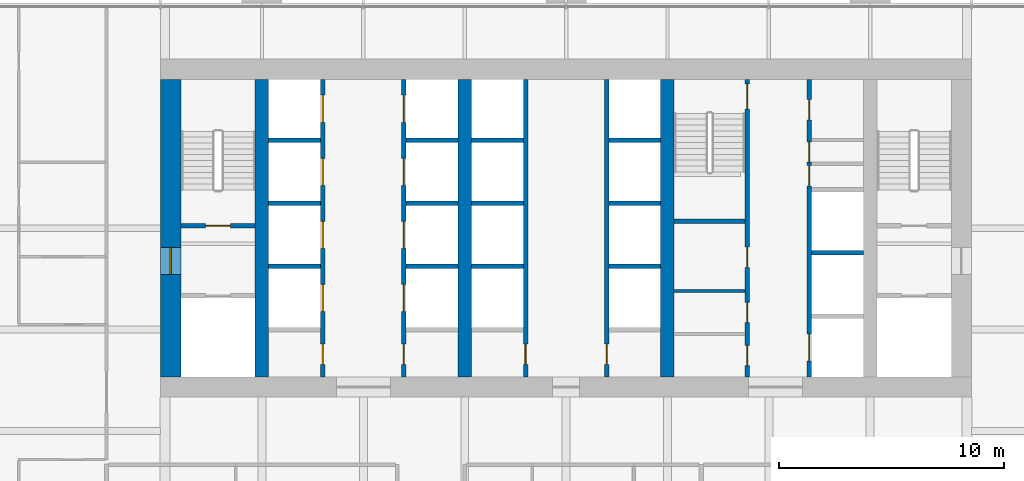
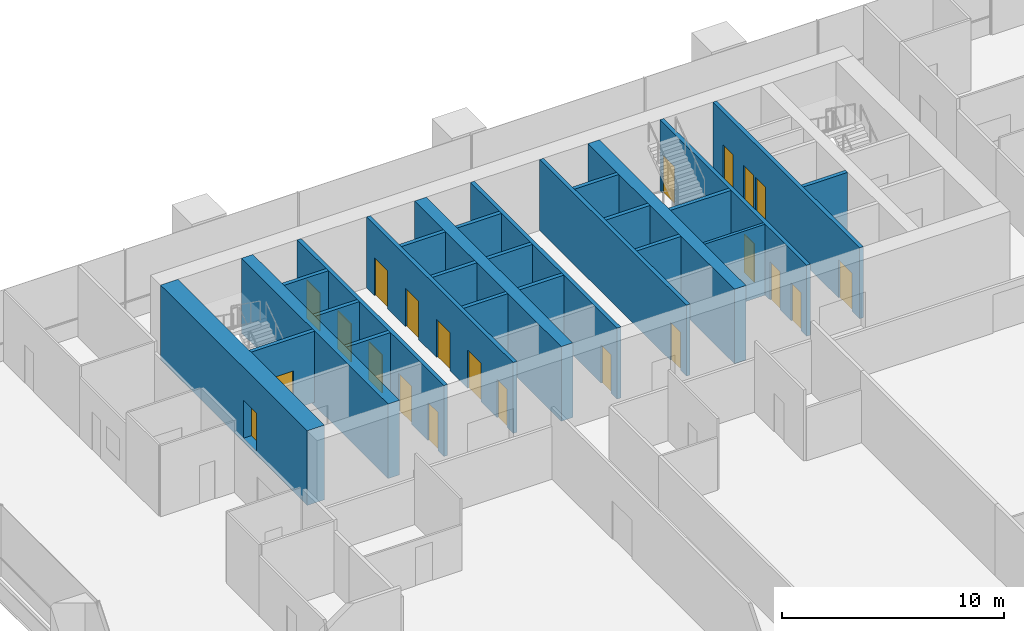
# One storey, part 13 of 17: 26 walls, 22 doors, 22 openings.
"""IFC4 building model written with IfcOpenShell, lengths in metres."""

from ifc_helpers import new_model, si_unit, direction, frame, frame_2d, origin, place, context, subcontext, project, spatial, rectangle, extrude, material, layer, layer_set, type_object, element, fill, save


model = new_model("IFC4")

# Units and contexts
model_context = context("Model", 3, precision=1e-05, world=origin(), true_north=direction((0.0, 1.0)))
body_context = subcontext(model_context, "Body", "Model", "MODEL_VIEW")
ifc_project = project(units=[si_unit("LENGTHUNIT", "METRE"), si_unit("AREAUNIT", "SQUARE_METRE"), si_unit("VOLUMEUNIT", "CUBIC_METRE"), si_unit("PLANEANGLEUNIT", "RADIAN"), si_unit("MASSUNIT", "GRAM", prefix="KILO")], contexts=[model_context])

# Site, building, storey
site_placement = place(None, origin())
site = spatial("IfcSite", under=ifc_project, at=site_placement, CompositionType="ELEMENT")
building_placement = place(site_placement, origin())
building = spatial("IfcBuilding", under=site, at=building_placement, Name="Rattan Terrace Tower", CompositionType="ELEMENT")
storey_placement = place(building_placement, frame((0.0, 0.0, 48.800048828125)))
storey = spatial("IfcBuildingStorey", under=building, at=storey_placement, Name="L10", CompositionType="ELEMENT", Elevation=48.800048828125)

# Wall
ifc_material_1 = material(Name="Gypsum board partition")
ifc_layer_1 = layer(ifc_material_1, 0.14990234375)
ifc_layer_set_1 = layer_set([ifc_layer_1], Name="Core partition 150")
wall_type_1 = type_object("IfcWallType", Name="Core partition 150", PredefinedType="PARTITIONING", material=ifc_layer_set_1)
wall_1_placement = place(storey_placement, frame((4.800048828125, -2.7919921875, 0.0), z_axis=(0.0, 0.0, 1.0), x_axis=(1.0, 0.0, 0.0)))
element("IfcWall", 1, at=wall_1_placement, inside=storey, type_object=wall_type_1, Name="Toilet wall", PredefinedType="PARTITIONING", context=body_context, shape_type="SweptSolid", body=[
    extrude(rectangle(XDim=3.14990234375, YDim=0.14990234375, at=frame_2d((1.574951171875, 0.0))), origin(), (0.0, 0.0, 1.0), 3.89990234375),
])

# Wall, opening, door
ifc_material_2 = material(Name="Gypsum board partition")
ifc_layer_2 = layer(ifc_material_2, 0.199951171875)
ifc_layer_set_2 = layer_set([ifc_layer_2], Name="Core partition 200")
wall_type_2 = type_object("IfcWallType", Name="Core partition 200", PredefinedType="PARTITIONING", material=ifc_layer_set_2)
wall_2_placement = place(storey_placement, frame((-17.10009765625, 0.10009765625, 0.0), z_axis=(0.0, 0.0, 1.0), x_axis=(1.0, 0.0, 0.0)))
wall_2 = element("IfcWall", 2, at=wall_2_placement, inside=storey, type_object=wall_type_2, Name="Stair enclosure wall", PredefinedType="PARTITIONING", context=body_context, shape_type="SweptSolid", body=[
    extrude(rectangle(XDim=3.300048828125, YDim=0.199951171875, at=frame_2d((1.64990234375, 0.0))), origin(), (0.0, 0.0, 1.0), 3.89990234375),
])
opening_1_placement = place(wall_2_placement, frame((1.10009765625, 0.0, 0.0)))
opening_1 = element("IfcOpeningElement", 3, at=opening_1_placement, cuts=wall_2, Name="Opening L10-D002", PredefinedType="OPENING", context=body_context, shape_type="SweptSolid", body=[
    extrude(rectangle(XDim=1.10009765625, YDim=2.10009765625, at=frame_2d((0.550048828125, 1.050048828125))), frame((0.0, 0.110595703125, 0.0), z_axis=(0.0, -1.0, 0.0), x_axis=(1.0, 0.0, 0.0)), (0.0, 0.0, 1.0), 0.220947265625),
])
ifc_material_3 = material(Name="Hollow-metal fire door leaf")
door_type_1 = type_object("IfcDoorType", Name="Core stair door 1100", OperationType="NOTDEFINED", PredefinedType="DOOR", material=ifc_material_3)
door_1_placement = place(opening_1_placement, origin())
door_1 = element("IfcDoor", 4, at=door_1_placement, inside=storey, type_object=door_type_1, Name="Door L10-D002", OperationType="SINGLE_SWING_RIGHT", OverallHeight=2.10009765625, OverallWidth=1.10009765625, PredefinedType="DOOR", context=body_context, shape_type="SweptSolid", body=[
    extrude(rectangle(XDim=1.10009765625, YDim=2.10009765625, at=frame_2d((0.550048828125, 1.050048828125))), frame((0.0, 0.02490234375, 0.0), z_axis=(0.0, -1.0, 0.0), x_axis=(1.0, 0.0, 0.0)), (0.0, 0.0, 1.0), 0.050048828125),
])
fill(opening_1, door_1)

# Wall, openings, doors
wall_3_placement = place(storey_placement, frame((8.050048828125, -6.60009765625, 0.0), z_axis=(0.0, 0.0, 1.0), x_axis=(0.0, 1.0, 0.0)))
wall_3 = element("IfcWall", 5, at=wall_3_placement, inside=storey, type_object=wall_type_2, Name="Lobby wall west", PredefinedType="PARTITIONING", context=body_context, shape_type="SweptSolid", body=[
    extrude(rectangle(XDim=13.2001953125, YDim=0.199951171875, at=frame_2d((6.60009765625, 0.0))), origin(), (0.0, 0.0, 1.0), 3.89990234375),
])
opening_2_placement = place(wall_3_placement, frame((0.501953125, 0.0, 0.0)))
opening_2 = element("IfcOpeningElement", 6, at=opening_2_placement, cuts=wall_3, Name="Opening L10-D011", PredefinedType="OPENING", context=body_context, shape_type="SweptSolid", body=[
    extrude(rectangle(XDim=0.89990234375, YDim=2.10009765625, at=frame_2d((0.449951171875, 1.050048828125))), frame((0.0, 0.110595703125, 0.0), z_axis=(0.0, -1.0, 0.0), x_axis=(1.0, 0.0, 0.0)), (0.0, 0.0, 1.0), 0.220947265625),
])
opening_3_placement = place(wall_3_placement, frame((2.406005859375, 0.0, 0.0)))
opening_3 = element("IfcOpeningElement", 7, at=opening_3_placement, cuts=wall_3, Name="Opening L10-D012", PredefinedType="OPENING", context=body_context, shape_type="SweptSolid", body=[
    extrude(rectangle(XDim=0.89990234375, YDim=2.10009765625, at=frame_2d((0.449951171875, 1.050048828125))), frame((0.0, 0.110595703125, 0.0), z_axis=(0.0, -1.0, 0.0), x_axis=(1.0, 0.0, 0.0)), (0.0, 0.0, 1.0), 0.220947265625),
])
opening_4_placement = place(wall_3_placement, frame((4.85400390625, 0.0, 0.0)))
opening_4 = element("IfcOpeningElement", 8, at=opening_4_placement, cuts=wall_3, Name="Opening L10-D013", PredefinedType="OPENING", context=body_context, shape_type="SweptSolid", body=[
    extrude(rectangle(XDim=0.89990234375, YDim=2.10009765625, at=frame_2d((0.449951171875, 1.050048828125))), frame((0.0, 0.110595703125, 0.0), z_axis=(0.0, -1.0, 0.0), x_axis=(1.0, 0.0, 0.0)), (0.0, 0.0, 1.0), 0.220947265625),
])
opening_5_placement = place(wall_3_placement, frame((11.89990234375, 0.0, 0.0)))
opening_5 = element("IfcOpeningElement", 9, at=opening_5_placement, cuts=wall_3, Name="Opening L10-D014", PredefinedType="OPENING", context=body_context, shape_type="SweptSolid", body=[
    extrude(rectangle(XDim=1.10009765625, YDim=2.10009765625, at=frame_2d((0.550048828125, 1.050048828125))), frame((0.0, 0.110595703125, 0.0), z_axis=(0.0, -1.0, 0.0), x_axis=(1.0, 0.0, 0.0)), (0.0, 0.0, 1.0), 0.220947265625),
])
door_2_placement = place(opening_5_placement, origin())
door_2 = element("IfcDoor", 10, at=door_2_placement, inside=storey, type_object=door_type_1, Name="Door L10-D014", OperationType="SINGLE_SWING_LEFT", OverallHeight=2.10009765625, OverallWidth=1.10009765625, PredefinedType="DOOR", context=body_context, shape_type="SweptSolid", body=[
    extrude(rectangle(XDim=1.10009765625, YDim=2.10009765625, at=frame_2d((0.550048828125, 1.050048828125))), frame((0.0, 0.02490234375, 0.0), z_axis=(0.0, -1.0, 0.0), x_axis=(1.0, 0.0, 0.0)), (0.0, 0.0, 1.0), 0.050048828125),
])
fill(opening_5, door_2)
ifc_material_4 = material(Name="Hollow-metal fire door leaf")
door_type_2 = type_object("IfcDoorType", Name="Core toilet door 900", OperationType="NOTDEFINED", PredefinedType="DOOR", material=ifc_material_4)
door_3_placement = place(opening_2_placement, origin())
door_3 = element("IfcDoor", 11, at=door_3_placement, inside=storey, type_object=door_type_2, Name="Door L10-D011", OperationType="SINGLE_SWING_RIGHT", OverallHeight=2.10009765625, OverallWidth=0.89990234375, PredefinedType="DOOR", context=body_context, shape_type="SweptSolid", body=[
    extrude(rectangle(XDim=0.89990234375, YDim=2.10009765625, at=frame_2d((0.449951171875, 1.050048828125))), frame((0.0, 0.02490234375, 0.0), z_axis=(0.0, -1.0, 0.0), x_axis=(1.0, 0.0, 0.0)), (0.0, 0.0, 1.0), 0.050048828125),
])
fill(opening_2, door_3)
door_4_placement = place(opening_3_placement, origin())
door_4 = element("IfcDoor", 12, at=door_4_placement, inside=storey, type_object=door_type_2, Name="Door L10-D012", OperationType="SINGLE_SWING_LEFT", OverallHeight=2.10009765625, OverallWidth=0.89990234375, PredefinedType="DOOR", context=body_context, shape_type="SweptSolid", body=[
    extrude(rectangle(XDim=0.89990234375, YDim=2.10009765625, at=frame_2d((0.449951171875, 1.050048828125))), frame((0.0, 0.02490234375, 0.0), z_axis=(0.0, -1.0, 0.0), x_axis=(1.0, 0.0, 0.0)), (0.0, 0.0, 1.0), 0.050048828125),
])
fill(opening_3, door_4)
door_5_placement = place(opening_4_placement, origin())
door_5 = element("IfcDoor", 13, at=door_5_placement, inside=storey, type_object=door_type_2, Name="Door L10-D013", OperationType="SINGLE_SWING_RIGHT", OverallHeight=2.10009765625, OverallWidth=0.89990234375, PredefinedType="DOOR", context=body_context, shape_type="SweptSolid", body=[
    extrude(rectangle(XDim=0.89990234375, YDim=2.10009765625, at=frame_2d((0.449951171875, 1.050048828125))), frame((0.0, 0.02490234375, 0.0), z_axis=(0.0, -1.0, 0.0), x_axis=(1.0, 0.0, 0.0)), (0.0, 0.0, 1.0), 0.050048828125),
])
fill(opening_4, door_5)

# Wall
wall_4_placement = place(storey_placement, frame((4.800048828125, 0.300048828125, 0.0), z_axis=(0.0, 0.0, 1.0), x_axis=(1.0, 0.0, 0.0)))
element("IfcWall", 14, at=wall_4_placement, inside=storey, type_object=wall_type_2, Name="Stair enclosure wall", PredefinedType="PARTITIONING", context=body_context, shape_type="SweptSolid", body=[
    extrude(rectangle(XDim=3.14990234375, YDim=0.199951171875, at=frame_2d((1.574951171875, 0.0))), origin(), (0.0, 0.0, 1.0), 3.89990234375),
])

# Wall, opening, door
ifc_material_5 = material(Name="Concrete C70/85", Category="concrete")
ifc_layer_3 = layer(ifc_material_5, 0.89990234375)
ifc_layer_set_3 = layer_set([ifc_layer_3], Name="Core ring wall 900 C70/85")
wall_type_3 = type_object("IfcWallType", Name="Core ring wall 900 C70/85", PredefinedType="SHEAR", material=ifc_layer_set_3)
wall_5_placement = place(storey_placement, frame((-17.550048828125, -6.60009765625, -0.199951171875), z_axis=(0.0, 0.0, 1.0), x_axis=(0.0, 1.0, 0.0)))
wall_5 = element("IfcWall", 15, at=wall_5_placement, inside=storey, type_object=wall_type_3, Name="Rear core wall west", PredefinedType="SHEAR", context=body_context, shape_type="SweptSolid", body=[
    extrude(rectangle(XDim=13.2001953125, YDim=0.89990234375, at=frame_2d((6.60009765625, 0.0))), origin(), (0.0, 0.0, 1.0), 4.099853515625),
])
opening_6_placement = place(wall_5_placement, frame((4.550048828125, 0.0, 0.199951171875)))
opening_6 = element("IfcOpeningElement", 16, at=opening_6_placement, cuts=wall_5, Name="Opening L10-D001", PredefinedType="OPENING", context=body_context, shape_type="SweptSolid", body=[
    extrude(rectangle(XDim=1.199951171875, YDim=2.10009765625, at=frame_2d((0.60009765625, 1.050048828125))), frame((0.0, 0.46044921875, 0.0), z_axis=(0.0, -1.0, 0.0), x_axis=(1.0, 0.0, 0.0)), (0.0, 0.0, 1.0), 0.9208984375),
])
ifc_material_6 = material(Name="Hollow-metal fire door leaf")
door_type_3 = type_object("IfcDoorType", Name="Core fire-fighting lobby door 1200", OperationType="NOTDEFINED", PredefinedType="DOOR", material=ifc_material_6)
door_6_placement = place(opening_6_placement, origin())
door_6 = element("IfcDoor", 17, at=door_6_placement, inside=storey, type_object=door_type_3, Name="Door L10-D001", OperationType="SINGLE_SWING_LEFT", OverallHeight=2.10009765625, OverallWidth=1.199951171875, PredefinedType="DOOR", context=body_context, shape_type="SweptSolid", body=[
    extrude(rectangle(XDim=1.199951171875, YDim=2.10009765625, at=frame_2d((0.60009765625, 1.050048828125))), frame((0.0, 0.02490234375, 0.0), z_axis=(0.0, -1.0, 0.0), x_axis=(1.0, 0.0, 0.0)), (0.0, 0.0, 1.0), 0.050048828125),
])
fill(opening_6, door_6)

# Walls
ifc_material_7 = material(Name="Concrete C70/85", Category="concrete")
ifc_layer_4 = layer(ifc_material_7, 0.60009765625)
ifc_layer_set_4 = layer_set([ifc_layer_4], Name="Core spine wall 600 C70/85")
wall_type_4 = type_object("IfcWallType", Name="Core spine wall 600 C70/85", PredefinedType="SHEAR", material=ifc_layer_set_4)
for number, where, z_axis, x_axis, name in (
    (18, (-13.5, -6.60009765625, -0.199951171875), (0.0, 0.0, 1.0), (0.0, 1.0, 0.0), "Core spine wall 1"),
    (19, (-4.5, -6.60009765625, -0.199951171875), (0.0, 0.0, 1.0), (0.0, 1.0, 0.0), "Core spine wall 2"),
    (20, (4.5, -6.60009765625, -0.199951171875), (0.0, 0.0, 1.0), (0.0, 1.0, 0.0), "Core spine wall 3"),
):
    element("IfcWall", number, at=place(storey_placement, frame(where, z_axis=z_axis, x_axis=x_axis)), inside=storey, type_object=wall_type_4, Name=name, PredefinedType="SHEAR", context=body_context, shape_type="SweptSolid", body=[
        extrude(rectangle(XDim=13.2001953125, YDim=0.60009765625, at=frame_2d((6.60009765625, 0.0))), origin(), (0.0, 0.0, 1.0), 4.099853515625),
    ])

# Wall, openings, doors
ifc_material_8 = material(Name="Gypsum shaft wall system")
ifc_layer_5 = layer(ifc_material_8, 0.199951171875)
ifc_layer_set_5 = layer_set([ifc_layer_5], Name="Lift shaft wall 200")
wall_type_5 = type_object("IfcWallType", Name="Lift shaft wall 200", PredefinedType="PARTITIONING", material=ifc_layer_set_5)
wall_6_placement = place(storey_placement, frame((-10.800048828125, -6.60009765625, 0.0), z_axis=(0.0, 0.0, 1.0), x_axis=(0.0, 1.0, 0.0)))
wall_6 = element("IfcWall", 21, at=wall_6_placement, inside=storey, type_object=wall_type_5, Name="Lift shaft front wall", PredefinedType="PARTITIONING", context=body_context, shape_type="SweptSolid", body=[
    extrude(rectangle(XDim=13.2001953125, YDim=0.199951171875, at=frame_2d((6.60009765625, 0.0))), origin(), (0.0, 0.0, 1.0), 3.89990234375),
])
opening_7_placement = place(wall_6_placement, frame((0.550048828125, 0.0, 0.0)))
opening_7 = element("IfcOpeningElement", 22, at=opening_7_placement, cuts=wall_6, Name="Opening L10-D005", PredefinedType="OPENING", context=body_context, shape_type="SweptSolid", body=[
    extrude(rectangle(XDim=0.89990234375, YDim=2.10009765625, at=frame_2d((0.449951171875, 1.050048828125))), frame((0.0, 0.110595703125, 0.0), z_axis=(0.0, -1.0, 0.0), x_axis=(1.0, 0.0, 0.0)), (0.0, 0.0, 1.0), 0.220947265625),
])
opening_8_placement = place(wall_6_placement, frame((2.89990234375, 0.0, 0.0)))
opening_8 = element("IfcOpeningElement", 23, at=opening_8_placement, cuts=wall_6, Name="Opening L10-LD-LR1", PredefinedType="OPENING", context=body_context, shape_type="SweptSolid", body=[
    extrude(rectangle(XDim=1.199951171875, YDim=2.10009765625, at=frame_2d((0.60009765625, 1.050048828125))), frame((0.0, 0.110595703125, 0.0), z_axis=(0.0, -1.0, 0.0), x_axis=(1.0, 0.0, 0.0)), (0.0, 0.0, 1.0), 0.220947265625),
])
opening_9_placement = place(wall_6_placement, frame((5.699951171875, 0.0, 0.0)))
opening_9 = element("IfcOpeningElement", 24, at=opening_9_placement, cuts=wall_6, Name="Opening L10-LD-LR2", PredefinedType="OPENING", context=body_context, shape_type="SweptSolid", body=[
    extrude(rectangle(XDim=1.199951171875, YDim=2.10009765625, at=frame_2d((0.60009765625, 1.050048828125))), frame((0.0, 0.110595703125, 0.0), z_axis=(0.0, -1.0, 0.0), x_axis=(1.0, 0.0, 0.0)), (0.0, 0.0, 1.0), 0.220947265625),
])
opening_10_placement = place(wall_6_placement, frame((8.5, 0.0, 0.0)))
opening_10 = element("IfcOpeningElement", 25, at=opening_10_placement, cuts=wall_6, Name="Opening L10-LD-LR3", PredefinedType="OPENING", context=body_context, shape_type="SweptSolid", body=[
    extrude(rectangle(XDim=1.199951171875, YDim=2.10009765625, at=frame_2d((0.60009765625, 1.050048828125))), frame((0.0, 0.110595703125, 0.0), z_axis=(0.0, -1.0, 0.0), x_axis=(1.0, 0.0, 0.0)), (0.0, 0.0, 1.0), 0.220947265625),
])
opening_11_placement = place(wall_6_placement, frame((11.300048828125, 0.0, 0.0)))
opening_11 = element("IfcOpeningElement", 26, at=opening_11_placement, cuts=wall_6, Name="Opening L10-LD-LR4", PredefinedType="OPENING", context=body_context, shape_type="SweptSolid", body=[
    extrude(rectangle(XDim=1.199951171875, YDim=2.10009765625, at=frame_2d((0.60009765625, 1.050048828125))), frame((0.0, 0.110595703125, 0.0), z_axis=(0.0, -1.0, 0.0), x_axis=(1.0, 0.0, 0.0)), (0.0, 0.0, 1.0), 0.220947265625),
])
ifc_material_9 = material(Name="Brushed stainless landing door panel")
door_type_4 = type_object("IfcDoorType", Name="Core lift landing door 1200", OperationType="DOUBLE_DOOR_SLIDING", PredefinedType="DOOR", material=ifc_material_9)
door_7_placement = place(opening_8_placement, origin())
door_7 = element("IfcDoor", 27, at=door_7_placement, inside=storey, type_object=door_type_4, Name="Door L10-LD-LR1", OperationType="DOUBLE_DOOR_SLIDING", OverallHeight=2.10009765625, OverallWidth=1.199951171875, PredefinedType="DOOR", context=body_context, shape_type="SweptSolid", body=[
    extrude(rectangle(XDim=1.199951171875, YDim=2.10009765625, at=frame_2d((0.60009765625, 1.050048828125))), frame((0.0, 0.02490234375, 0.0), z_axis=(0.0, -1.0, 0.0), x_axis=(1.0, 0.0, 0.0)), (0.0, 0.0, 1.0), 0.050048828125),
])
fill(opening_8, door_7)
door_8_placement = place(opening_9_placement, origin())
door_8 = element("IfcDoor", 28, at=door_8_placement, inside=storey, type_object=door_type_4, Name="Door L10-LD-LR2", OperationType="DOUBLE_DOOR_SLIDING", OverallHeight=2.10009765625, OverallWidth=1.199951171875, PredefinedType="DOOR", context=body_context, shape_type="SweptSolid", body=[
    extrude(rectangle(XDim=1.199951171875, YDim=2.10009765625, at=frame_2d((0.60009765625, 1.050048828125))), frame((0.0, 0.02490234375, 0.0), z_axis=(0.0, -1.0, 0.0), x_axis=(1.0, 0.0, 0.0)), (0.0, 0.0, 1.0), 0.050048828125),
])
fill(opening_9, door_8)
door_9_placement = place(opening_10_placement, origin())
door_9 = element("IfcDoor", 29, at=door_9_placement, inside=storey, type_object=door_type_4, Name="Door L10-LD-LR3", OperationType="DOUBLE_DOOR_SLIDING", OverallHeight=2.10009765625, OverallWidth=1.199951171875, PredefinedType="DOOR", context=body_context, shape_type="SweptSolid", body=[
    extrude(rectangle(XDim=1.199951171875, YDim=2.10009765625, at=frame_2d((0.60009765625, 1.050048828125))), frame((0.0, 0.02490234375, 0.0), z_axis=(0.0, -1.0, 0.0), x_axis=(1.0, 0.0, 0.0)), (0.0, 0.0, 1.0), 0.050048828125),
])
fill(opening_10, door_9)
door_10_placement = place(opening_11_placement, origin())
door_10 = element("IfcDoor", 30, at=door_10_placement, inside=storey, type_object=door_type_4, Name="Door L10-LD-LR4", OperationType="DOUBLE_DOOR_SLIDING", OverallHeight=2.10009765625, OverallWidth=1.199951171875, PredefinedType="DOOR", context=body_context, shape_type="SweptSolid", body=[
    extrude(rectangle(XDim=1.199951171875, YDim=2.10009765625, at=frame_2d((0.60009765625, 1.050048828125))), frame((0.0, 0.02490234375, 0.0), z_axis=(0.0, -1.0, 0.0), x_axis=(1.0, 0.0, 0.0)), (0.0, 0.0, 1.0), 0.050048828125),
])
fill(opening_11, door_10)
ifc_material_10 = material(Name="Hollow-metal fire door leaf")
door_type_5 = type_object("IfcDoorType", Name="Core riser door 900", OperationType="NOTDEFINED", PredefinedType="DOOR", material=ifc_material_10)
door_11_placement = place(opening_7_placement, origin())
door_11 = element("IfcDoor", 31, at=door_11_placement, inside=storey, type_object=door_type_5, Name="Door L10-D005", OperationType="SINGLE_SWING_LEFT", OverallHeight=2.10009765625, OverallWidth=0.89990234375, PredefinedType="DOOR", context=body_context, shape_type="SweptSolid", body=[
    extrude(rectangle(XDim=0.89990234375, YDim=2.10009765625, at=frame_2d((0.449951171875, 1.050048828125))), frame((0.0, 0.02490234375, 0.0), z_axis=(0.0, -1.0, 0.0), x_axis=(1.0, 0.0, 0.0)), (0.0, 0.0, 1.0), 0.050048828125),
])
fill(opening_7, door_11)

wall_7_placement = place(storey_placement, frame((-7.199951171875, -6.60009765625, 0.0), z_axis=(0.0, 0.0, 1.0), x_axis=(0.0, 1.0, 0.0)))
wall_7 = element("IfcWall", 32, at=wall_7_placement, inside=storey, type_object=wall_type_5, Name="Lift shaft front wall", PredefinedType="PARTITIONING", context=body_context, shape_type="SweptSolid", body=[
    extrude(rectangle(XDim=13.2001953125, YDim=0.199951171875, at=frame_2d((6.60009765625, 0.0))), origin(), (0.0, 0.0, 1.0), 3.89990234375),
])
opening_12_placement = place(wall_7_placement, frame((0.550048828125, 0.0, 0.0)))
opening_12 = element("IfcOpeningElement", 33, at=opening_12_placement, cuts=wall_7, Name="Opening L10-D006", PredefinedType="OPENING", context=body_context, shape_type="SweptSolid", body=[
    extrude(rectangle(XDim=0.89990234375, YDim=2.10009765625, at=frame_2d((0.449951171875, 1.050048828125))), frame((0.0, 0.110595703125, 0.0), z_axis=(0.0, -1.0, 0.0), x_axis=(1.0, 0.0, 0.0)), (0.0, 0.0, 1.0), 0.220947265625),
])
opening_13_placement = place(wall_7_placement, frame((2.89990234375, 0.0, 0.0)))
opening_13 = element("IfcOpeningElement", 34, at=opening_13_placement, cuts=wall_7, Name="Opening L10-LD-LR5", PredefinedType="OPENING", context=body_context, shape_type="SweptSolid", body=[
    extrude(rectangle(XDim=1.199951171875, YDim=2.10009765625, at=frame_2d((0.60009765625, 1.050048828125))), frame((0.0, 0.110595703125, 0.0), z_axis=(0.0, -1.0, 0.0), x_axis=(1.0, 0.0, 0.0)), (0.0, 0.0, 1.0), 0.220947265625),
])
opening_14_placement = place(wall_7_placement, frame((5.699951171875, 0.0, 0.0)))
opening_14 = element("IfcOpeningElement", 35, at=opening_14_placement, cuts=wall_7, Name="Opening L10-LD-LR6", PredefinedType="OPENING", context=body_context, shape_type="SweptSolid", body=[
    extrude(rectangle(XDim=1.199951171875, YDim=2.10009765625, at=frame_2d((0.60009765625, 1.050048828125))), frame((0.0, 0.110595703125, 0.0), z_axis=(0.0, -1.0, 0.0), x_axis=(1.0, 0.0, 0.0)), (0.0, 0.0, 1.0), 0.220947265625),
])
opening_15_placement = place(wall_7_placement, frame((8.5, 0.0, 0.0)))
opening_15 = element("IfcOpeningElement", 36, at=opening_15_placement, cuts=wall_7, Name="Opening L10-LD-LR7", PredefinedType="OPENING", context=body_context, shape_type="SweptSolid", body=[
    extrude(rectangle(XDim=1.199951171875, YDim=2.10009765625, at=frame_2d((0.60009765625, 1.050048828125))), frame((0.0, 0.110595703125, 0.0), z_axis=(0.0, -1.0, 0.0), x_axis=(1.0, 0.0, 0.0)), (0.0, 0.0, 1.0), 0.220947265625),
])
opening_16_placement = place(wall_7_placement, frame((11.300048828125, 0.0, 0.0)))
opening_16 = element("IfcOpeningElement", 37, at=opening_16_placement, cuts=wall_7, Name="Opening L10-LD-LR8", PredefinedType="OPENING", context=body_context, shape_type="SweptSolid", body=[
    extrude(rectangle(XDim=1.199951171875, YDim=2.10009765625, at=frame_2d((0.60009765625, 1.050048828125))), frame((0.0, 0.110595703125, 0.0), z_axis=(0.0, -1.0, 0.0), x_axis=(1.0, 0.0, 0.0)), (0.0, 0.0, 1.0), 0.220947265625),
])
door_12_placement = place(opening_13_placement, origin())
door_12 = element("IfcDoor", 38, at=door_12_placement, inside=storey, type_object=door_type_4, Name="Door L10-LD-LR5", OperationType="DOUBLE_DOOR_SLIDING", OverallHeight=2.10009765625, OverallWidth=1.199951171875, PredefinedType="DOOR", context=body_context, shape_type="SweptSolid", body=[
    extrude(rectangle(XDim=1.199951171875, YDim=2.10009765625, at=frame_2d((0.60009765625, 1.050048828125))), frame((0.0, 0.02490234375, 0.0), z_axis=(0.0, -1.0, 0.0), x_axis=(1.0, 0.0, 0.0)), (0.0, 0.0, 1.0), 0.050048828125),
])
fill(opening_13, door_12)
door_13_placement = place(opening_14_placement, origin())
door_13 = element("IfcDoor", 39, at=door_13_placement, inside=storey, type_object=door_type_4, Name="Door L10-LD-LR6", OperationType="DOUBLE_DOOR_SLIDING", OverallHeight=2.10009765625, OverallWidth=1.199951171875, PredefinedType="DOOR", context=body_context, shape_type="SweptSolid", body=[
    extrude(rectangle(XDim=1.199951171875, YDim=2.10009765625, at=frame_2d((0.60009765625, 1.050048828125))), frame((0.0, 0.02490234375, 0.0), z_axis=(0.0, -1.0, 0.0), x_axis=(1.0, 0.0, 0.0)), (0.0, 0.0, 1.0), 0.050048828125),
])
fill(opening_14, door_13)
door_14_placement = place(opening_15_placement, origin())
door_14 = element("IfcDoor", 40, at=door_14_placement, inside=storey, type_object=door_type_4, Name="Door L10-LD-LR7", OperationType="DOUBLE_DOOR_SLIDING", OverallHeight=2.10009765625, OverallWidth=1.199951171875, PredefinedType="DOOR", context=body_context, shape_type="SweptSolid", body=[
    extrude(rectangle(XDim=1.199951171875, YDim=2.10009765625, at=frame_2d((0.60009765625, 1.050048828125))), frame((0.0, 0.02490234375, 0.0), z_axis=(0.0, -1.0, 0.0), x_axis=(1.0, 0.0, 0.0)), (0.0, 0.0, 1.0), 0.050048828125),
])
fill(opening_15, door_14)
door_15_placement = place(opening_16_placement, origin())
door_15 = element("IfcDoor", 41, at=door_15_placement, inside=storey, type_object=door_type_4, Name="Door L10-LD-LR8", OperationType="DOUBLE_DOOR_SLIDING", OverallHeight=2.10009765625, OverallWidth=1.199951171875, PredefinedType="DOOR", context=body_context, shape_type="SweptSolid", body=[
    extrude(rectangle(XDim=1.199951171875, YDim=2.10009765625, at=frame_2d((0.60009765625, 1.050048828125))), frame((0.0, 0.02490234375, 0.0), z_axis=(0.0, -1.0, 0.0), x_axis=(1.0, 0.0, 0.0)), (0.0, 0.0, 1.0), 0.050048828125),
])
fill(opening_16, door_15)
door_16_placement = place(opening_12_placement, origin())
door_16 = element("IfcDoor", 42, at=door_16_placement, inside=storey, type_object=door_type_5, Name="Door L10-D006", OperationType="SINGLE_SWING_RIGHT", OverallHeight=2.10009765625, OverallWidth=0.89990234375, PredefinedType="DOOR", context=body_context, shape_type="SweptSolid", body=[
    extrude(rectangle(XDim=0.89990234375, YDim=2.10009765625, at=frame_2d((0.449951171875, 1.050048828125))), frame((0.0, 0.02490234375, 0.0), z_axis=(0.0, -1.0, 0.0), x_axis=(1.0, 0.0, 0.0)), (0.0, 0.0, 1.0), 0.050048828125),
])
fill(opening_12, door_16)

# Walls
for number, where, z_axis, x_axis, name in (
    (43, (-13.199951171875, -1.699951171875, 0.0), (0.0, 0.0, 1.0), (1.0, 0.0, 0.0), "Lift shaft wall"),
    (44, (-13.199951171875, 1.10009765625, 0.0), (0.0, 0.0, 1.0), (1.0, 0.0, 0.0), "Lift shaft wall"),
    (45, (-13.199951171875, 3.89990234375, 0.0), (0.0, 0.0, 1.0), (1.0, 0.0, 0.0), "Lift shaft wall"),
    (46, (-7.10009765625, -1.699951171875, 0.0), (0.0, 0.0, 1.0), (1.0, 0.0, 0.0), "Lift shaft wall"),
    (47, (-7.10009765625, 1.10009765625, 0.0), (0.0, 0.0, 1.0), (1.0, 0.0, 0.0), "Lift shaft wall"),
    (48, (-7.10009765625, 3.89990234375, 0.0), (0.0, 0.0, 1.0), (1.0, 0.0, 0.0), "Lift shaft wall"),
):
    element("IfcWall", number, at=place(storey_placement, frame(where, z_axis=z_axis, x_axis=x_axis)), inside=storey, type_object=wall_type_5, Name=name, PredefinedType="PARTITIONING", context=body_context, shape_type="SweptSolid", body=[
        extrude(rectangle(XDim=2.300048828125, YDim=0.199951171875, at=frame_2d((1.14990234375, 0.0))), origin(), (0.0, 0.0, 1.0), 3.89990234375),
    ])

# Wall, opening, door
wall_8_placement = place(storey_placement, frame((-1.800048828125, -6.60009765625, 0.0), z_axis=(0.0, 0.0, 1.0), x_axis=(0.0, 1.0, 0.0)))
wall_8 = element("IfcWall", 49, at=wall_8_placement, inside=storey, type_object=wall_type_5, Name="Lift shaft front wall", PredefinedType="PARTITIONING", context=body_context, shape_type="SweptSolid", body=[
    extrude(rectangle(XDim=13.2001953125, YDim=0.199951171875, at=frame_2d((6.60009765625, 0.0))), origin(), (0.0, 0.0, 1.0), 3.89990234375),
])
opening_17_placement = place(wall_8_placement, frame((0.550048828125, 0.0, 0.0)))
opening_17 = element("IfcOpeningElement", 50, at=opening_17_placement, cuts=wall_8, Name="Opening L10-D008", PredefinedType="OPENING", context=body_context, shape_type="SweptSolid", body=[
    extrude(rectangle(XDim=0.89990234375, YDim=2.10009765625, at=frame_2d((0.449951171875, 1.050048828125))), frame((0.0, 0.110595703125, 0.0), z_axis=(0.0, -1.0, 0.0), x_axis=(1.0, 0.0, 0.0)), (0.0, 0.0, 1.0), 0.220947265625),
])
door_17_placement = place(opening_17_placement, origin())
door_17 = element("IfcDoor", 51, at=door_17_placement, inside=storey, type_object=door_type_5, Name="Door L10-D008", OperationType="SINGLE_SWING_LEFT", OverallHeight=2.10009765625, OverallWidth=0.89990234375, PredefinedType="DOOR", context=body_context, shape_type="SweptSolid", body=[
    extrude(rectangle(XDim=0.89990234375, YDim=2.10009765625, at=frame_2d((0.449951171875, 1.050048828125))), frame((0.0, 0.02490234375, 0.0), z_axis=(0.0, -1.0, 0.0), x_axis=(1.0, 0.0, 0.0)), (0.0, 0.0, 1.0), 0.050048828125),
])
fill(opening_17, door_17)

wall_9_placement = place(storey_placement, frame((1.800048828125, -6.60009765625, 0.0), z_axis=(0.0, 0.0, 1.0), x_axis=(0.0, 1.0, 0.0)))
wall_9 = element("IfcWall", 52, at=wall_9_placement, inside=storey, type_object=wall_type_5, Name="Lift shaft front wall", PredefinedType="PARTITIONING", context=body_context, shape_type="SweptSolid", body=[
    extrude(rectangle(XDim=13.2001953125, YDim=0.199951171875, at=frame_2d((6.60009765625, 0.0))), origin(), (0.0, 0.0, 1.0), 3.89990234375),
])
opening_18_placement = place(wall_9_placement, frame((0.550048828125, 0.0, 0.0)))
opening_18 = element("IfcOpeningElement", 53, at=opening_18_placement, cuts=wall_9, Name="Opening L10-D009", PredefinedType="OPENING", context=body_context, shape_type="SweptSolid", body=[
    extrude(rectangle(XDim=0.89990234375, YDim=2.10009765625, at=frame_2d((0.449951171875, 1.050048828125))), frame((0.0, 0.110595703125, 0.0), z_axis=(0.0, -1.0, 0.0), x_axis=(1.0, 0.0, 0.0)), (0.0, 0.0, 1.0), 0.220947265625),
])
door_18_placement = place(opening_18_placement, origin())
door_18 = element("IfcDoor", 54, at=door_18_placement, inside=storey, type_object=door_type_5, Name="Door L10-D009", OperationType="SINGLE_SWING_RIGHT", OverallHeight=2.10009765625, OverallWidth=0.89990234375, PredefinedType="DOOR", context=body_context, shape_type="SweptSolid", body=[
    extrude(rectangle(XDim=0.89990234375, YDim=2.10009765625, at=frame_2d((0.449951171875, 1.050048828125))), frame((0.0, 0.02490234375, 0.0), z_axis=(0.0, -1.0, 0.0), x_axis=(1.0, 0.0, 0.0)), (0.0, 0.0, 1.0), 0.050048828125),
])
fill(opening_18, door_18)

# Walls
for number, where, z_axis, x_axis, name in (
    (55, (-4.199951171875, -1.699951171875, 0.0), (0.0, 0.0, 1.0), (1.0, 0.0, 0.0), "Lift shaft wall"),
    (56, (-4.199951171875, 1.10009765625, 0.0), (0.0, 0.0, 1.0), (1.0, 0.0, 0.0), "Lift shaft wall"),
    (57, (-4.199951171875, 3.89990234375, 0.0), (0.0, 0.0, 1.0), (1.0, 0.0, 0.0), "Lift shaft wall"),
    (58, (1.89990234375, -1.699951171875, 0.0), (0.0, 0.0, 1.0), (1.0, 0.0, 0.0), "Lift shaft wall"),
    (59, (1.89990234375, 1.10009765625, 0.0), (0.0, 0.0, 1.0), (1.0, 0.0, 0.0), "Lift shaft wall"),
    (60, (1.89990234375, 3.89990234375, 0.0), (0.0, 0.0, 1.0), (1.0, 0.0, 0.0), "Lift shaft wall"),
):
    element("IfcWall", number, at=place(storey_placement, frame(where, z_axis=z_axis, x_axis=x_axis)), inside=storey, type_object=wall_type_5, Name=name, PredefinedType="PARTITIONING", context=body_context, shape_type="SweptSolid", body=[
        extrude(rectangle(XDim=2.300048828125, YDim=0.199951171875, at=frame_2d((1.14990234375, 0.0))), origin(), (0.0, 0.0, 1.0), 3.89990234375),
    ])

# Wall, openings, doors
wall_10_placement = place(storey_placement, frame((10.800048828125, -6.60009765625, 0.0), z_axis=(0.0, 0.0, 1.0), x_axis=(0.0, 1.0, 0.0)))
wall_10 = element("IfcWall", 61, at=wall_10_placement, inside=storey, type_object=wall_type_5, Name="Lift shaft front wall", PredefinedType="PARTITIONING", context=body_context, shape_type="SweptSolid", body=[
    extrude(rectangle(XDim=13.2001953125, YDim=0.199951171875, at=frame_2d((6.60009765625, 0.0))), origin(), (0.0, 0.0, 1.0), 3.89990234375),
])
opening_19_placement = place(wall_10_placement, frame((0.699951171875, 0.0, 0.0)))
opening_19 = element("IfcOpeningElement", 62, at=opening_19_placement, cuts=wall_10, Name="Opening L10-LD-SV1", PredefinedType="OPENING", context=body_context, shape_type="SweptSolid", body=[
    extrude(rectangle(XDim=1.199951171875, YDim=2.10009765625, at=frame_2d((0.60009765625, 1.050048828125))), frame((0.0, 0.110595703125, 0.0), z_axis=(0.0, -1.0, 0.0), x_axis=(1.0, 0.0, 0.0)), (0.0, 0.0, 1.0), 0.220947265625),
])
opening_20_placement = place(wall_10_placement, frame((8.47802734375, 0.0, 0.0)))
opening_20 = element("IfcOpeningElement", 63, at=opening_20_placement, cuts=wall_10, Name="Opening L10-D016", PredefinedType="OPENING", context=body_context, shape_type="SweptSolid", body=[
    extrude(rectangle(XDim=0.89990234375, YDim=2.10009765625, at=frame_2d((0.449951171875, 1.050048828125))), frame((0.0, 0.110595703125, 0.0), z_axis=(0.0, -1.0, 0.0), x_axis=(1.0, 0.0, 0.0)), (0.0, 0.0, 1.0), 0.220947265625),
])
opening_21_placement = place(wall_10_placement, frame((9.533935546875, 0.0, 0.0)))
opening_21 = element("IfcOpeningElement", 64, at=opening_21_placement, cuts=wall_10, Name="Opening L10-D017", PredefinedType="OPENING", context=body_context, shape_type="SweptSolid", body=[
    extrude(rectangle(XDim=0.89990234375, YDim=2.10009765625, at=frame_2d((0.449951171875, 1.050048828125))), frame((0.0, 0.110595703125, 0.0), z_axis=(0.0, -1.0, 0.0), x_axis=(1.0, 0.0, 0.0)), (0.0, 0.0, 1.0), 0.220947265625),
])
opening_22_placement = place(wall_10_placement, frame((11.406005859375, 0.0, 0.0)))
opening_22 = element("IfcOpeningElement", 65, at=opening_22_placement, cuts=wall_10, Name="Opening L10-D018", PredefinedType="OPENING", context=body_context, shape_type="SweptSolid", body=[
    extrude(rectangle(XDim=0.89990234375, YDim=2.10009765625, at=frame_2d((0.449951171875, 1.050048828125))), frame((0.0, 0.110595703125, 0.0), z_axis=(0.0, -1.0, 0.0), x_axis=(1.0, 0.0, 0.0)), (0.0, 0.0, 1.0), 0.220947265625),
])
door_19_placement = place(opening_19_placement, origin())
door_19 = element("IfcDoor", 66, at=door_19_placement, inside=storey, type_object=door_type_4, Name="Door L10-LD-SV1", OperationType="DOUBLE_DOOR_SLIDING", OverallHeight=2.10009765625, OverallWidth=1.199951171875, PredefinedType="DOOR", context=body_context, shape_type="SweptSolid", body=[
    extrude(rectangle(XDim=1.199951171875, YDim=2.10009765625, at=frame_2d((0.60009765625, 1.050048828125))), frame((0.0, 0.02490234375, 0.0), z_axis=(0.0, -1.0, 0.0), x_axis=(1.0, 0.0, 0.0)), (0.0, 0.0, 1.0), 0.050048828125),
])
fill(opening_19, door_19)
door_20_placement = place(opening_20_placement, origin())
door_20 = element("IfcDoor", 67, at=door_20_placement, inside=storey, type_object=door_type_5, Name="Door L10-D016", OperationType="SINGLE_SWING_RIGHT", OverallHeight=2.10009765625, OverallWidth=0.89990234375, PredefinedType="DOOR", context=body_context, shape_type="SweptSolid", body=[
    extrude(rectangle(XDim=0.89990234375, YDim=2.10009765625, at=frame_2d((0.449951171875, 1.050048828125))), frame((0.0, 0.02490234375, 0.0), z_axis=(0.0, -1.0, 0.0), x_axis=(1.0, 0.0, 0.0)), (0.0, 0.0, 1.0), 0.050048828125),
])
fill(opening_20, door_20)
door_21_placement = place(opening_21_placement, origin())
door_21 = element("IfcDoor", 68, at=door_21_placement, inside=storey, type_object=door_type_5, Name="Door L10-D017", OperationType="SINGLE_SWING_LEFT", OverallHeight=2.10009765625, OverallWidth=0.89990234375, PredefinedType="DOOR", context=body_context, shape_type="SweptSolid", body=[
    extrude(rectangle(XDim=0.89990234375, YDim=2.10009765625, at=frame_2d((0.449951171875, 1.050048828125))), frame((0.0, 0.02490234375, 0.0), z_axis=(0.0, -1.0, 0.0), x_axis=(1.0, 0.0, 0.0)), (0.0, 0.0, 1.0), 0.050048828125),
])
fill(opening_21, door_21)
ifc_material_11 = material(Name="Hollow-metal fire door leaf")
door_type_6 = type_object("IfcDoorType", Name="Core service room door 900", OperationType="NOTDEFINED", PredefinedType="DOOR", material=ifc_material_11)
door_22_placement = place(opening_22_placement, origin())
door_22 = element("IfcDoor", 69, at=door_22_placement, inside=storey, type_object=door_type_6, Name="Door L10-D018", OperationType="SINGLE_SWING_RIGHT", OverallHeight=2.10009765625, OverallWidth=0.89990234375, PredefinedType="DOOR", context=body_context, shape_type="SweptSolid", body=[
    extrude(rectangle(XDim=0.89990234375, YDim=2.10009765625, at=frame_2d((0.449951171875, 1.050048828125))), frame((0.0, 0.02490234375, 0.0), z_axis=(0.0, -1.0, 0.0), x_axis=(1.0, 0.0, 0.0)), (0.0, 0.0, 1.0), 0.050048828125),
])
fill(opening_22, door_22)

# Wall
wall_11_placement = place(storey_placement, frame((10.89990234375, -1.10009765625, 0.0), z_axis=(0.0, 0.0, 1.0), x_axis=(1.0, 0.0, 0.0)))
element("IfcWall", 70, at=wall_11_placement, inside=storey, type_object=wall_type_5, Name="Lift shaft wall", PredefinedType="PARTITIONING", context=body_context, shape_type="SweptSolid", body=[
    extrude(rectangle(XDim=2.300048828125, YDim=0.199951171875, at=frame_2d((1.14990234375, 0.0))), origin(), (0.0, 0.0, 1.0), 3.89990234375),
])

save(model, "model.ifc")
